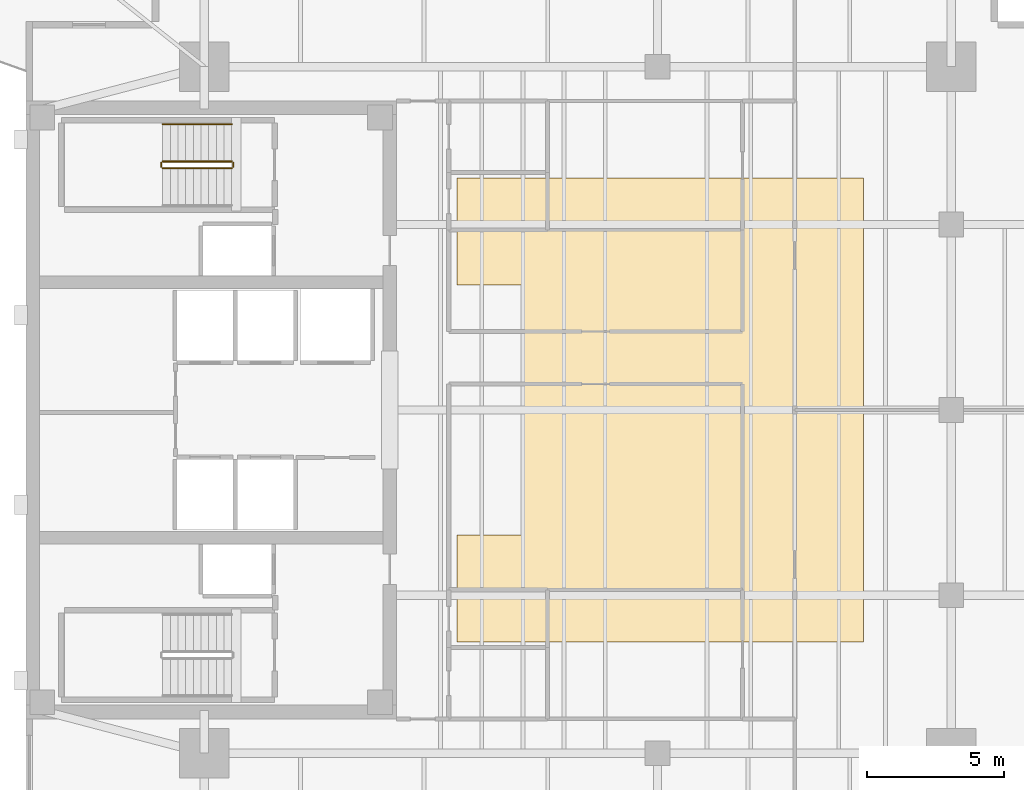
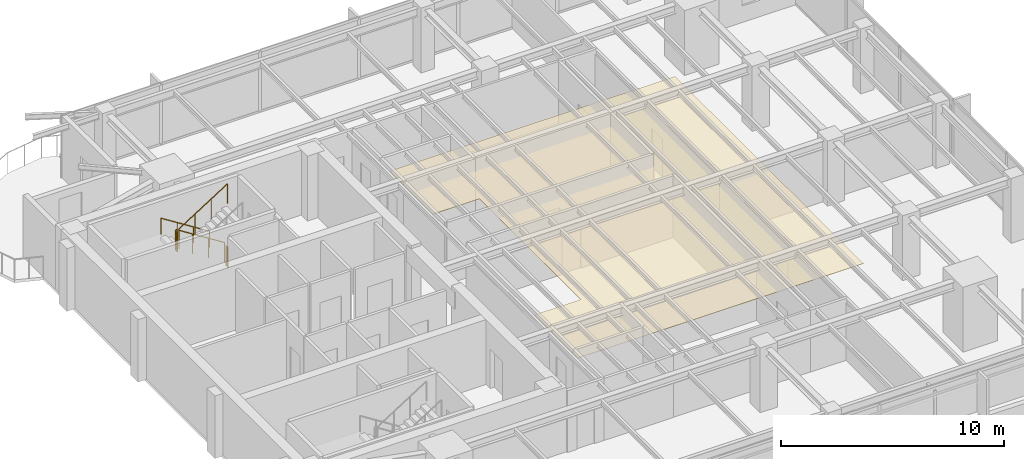
# One storey, part 13 of 14: 5 railings, 1 covering.
"""IFC4 building model written with IfcOpenShell, lengths in metres."""

from ifc_helpers import new_model, si_unit, direction, frame, origin, origin_2d, place, context, subcontext, project, spatial, polyline, circle, outline, extrude, material, layer, layer_set, type_object, element, save


model = new_model("IFC4")

# Units and contexts
model_context = context("Model", 3, precision=1e-05, world=origin(), true_north=direction((0.0, 1.0)))
body_context = subcontext(model_context, "Body", "Model", "MODEL_VIEW")
ifc_project = project(units=[si_unit("LENGTHUNIT", "METRE"), si_unit("AREAUNIT", "SQUARE_METRE"), si_unit("VOLUMEUNIT", "CUBIC_METRE"), si_unit("PLANEANGLEUNIT", "RADIAN"), si_unit("MASSUNIT", "GRAM", prefix="KILO")], contexts=[model_context])

# Site, building, storey
site_placement = place(None, origin())
site = spatial("IfcSite", under=ifc_project, at=site_placement, CompositionType="ELEMENT")
building_placement = place(site_placement, origin())
building = spatial("IfcBuilding", under=site, at=building_placement, Name="Kinhvarn Gate Tower", CompositionType="ELEMENT")
storey_placement = place(building_placement, frame((0.0, 0.0, 259.89990234375)))
storey = spatial("IfcBuildingStorey", under=building, at=storey_placement, Name="L69", CompositionType="ELEMENT", Elevation=259.89990234375)

# Covering
ifc_material_1 = material(Name="Mineral-fibre acoustic ceiling tile")
ifc_layer = layer(ifc_material_1, 0.02001953125)
ifc_layer_set = layer_set([ifc_layer], Name="Mineral-fibre acoustic ceiling tile")
covering_type = type_object("IfcCoveringType", Name="COV-CEIL-20", PredefinedType="CEILING", material=ifc_layer_set)
covering_placement = place(storey_placement, frame((0.0, 0.0, 2.650146484375)))
element("IfcCovering", 1, at=covering_placement, inside=storey, type_object=covering_type, Name="Suspended Acoustic Ceiling Tile (L69-1)", PredefinedType="CEILING", context=body_context, shape_type="SweptSolid", body=[
    extrude(outline(polyline([(35.0, 33.699951171875), (35.0, 16.800048828125), (20.199951171875, 16.800048828125), (20.199951171875, 20.699951171875), (22.60009765625, 20.699951171875), (22.60009765625, 29.800048828125), (20.199951171875, 29.800048828125), (20.199951171875, 33.699951171875), (35.0, 33.699951171875)])), origin(), (0.0, 0.0, 1.0), 0.02001953125),
])

# Railings
ifc_material_2 = material(Name="Steel S355", Category="steel")
railing_type_1 = type_object("IfcRailingType", Name="RL-ST-GRD", PredefinedType="BALUSTRADE", material=ifc_material_2)
railing_1_placement = place(storey_placement, frame((12.0, 34.300048828125, 0.177490234375)))
element("IfcRailing", 2, at=railing_1_placement, inside=storey, type_object=railing_type_1, Name="L69 ST2 stair guard 1", PredefinedType="BALUSTRADE", context=body_context, shape_type="SweptSolid", body=[
    extrude(circle(Radius=0.02392578125, at=origin_2d()), frame((0.0, 0.0, 1.076171875), z_axis=(-0.84456994832, 0.0, 0.535445237532), x_axis=(0.0, -1.0, 0.0)), (0.0, 0.0, 1.0), 2.98388671875),
    extrude(circle(Radius=0.02099609375, at=origin_2d()), origin(), (0.0, 0.0, 1.0), 1.052001953125),
    extrude(circle(Radius=0.02099609375, at=origin_2d()), frame((-0.840087890625, 0.0, 0.532470703125)), (0.0, 0.0, 1.0), 1.052001953125),
    extrude(circle(Radius=0.02099609375, at=origin_2d()), frame((-1.679931640625, 0.0, 1.065185546875)), (0.0, 0.0, 1.0), 1.052001953125),
    extrude(circle(Radius=0.02099609375, at=origin_2d()), frame((-2.52001953125, 0.0, 1.59765625)), (0.0, 0.0, 1.0), 1.052001953125),
])
railing_2_placement = place(storey_placement, frame((9.429931640625, 34.25, 1.775146484375)))
element("IfcRailing", 3, at=railing_2_placement, inside=storey, type_object=railing_type_1, Name="L69 ST2 stair guard 2", PredefinedType="BALUSTRADE", context=body_context, shape_type="SweptSolid", body=[
    extrude(circle(Radius=0.02392578125, at=origin_2d()), frame((0.0, 0.0, 1.076171875), z_axis=(0.0, -1.0, 0.0), x_axis=(1.0, 0.0, 0.0)), (0.0, 0.0, 1.0), 0.14990234375),
    extrude(circle(Radius=0.02099609375, at=origin_2d()), origin(), (0.0, 0.0, 1.0), 1.052001953125),
    extrude(circle(Radius=0.02099609375, at=origin_2d()), frame((0.0, -0.14990234375, 0.0)), (0.0, 0.0, 1.0), 1.052001953125),
])
railing_3_placement = place(storey_placement, frame((9.47998046875, 34.050048828125, 1.95263671875)))
element("IfcRailing", 4, at=railing_3_placement, inside=storey, type_object=railing_type_1, Name="L69 ST2 stair guard 3", PredefinedType="BALUSTRADE", context=body_context, shape_type="SweptSolid", body=[
    extrude(circle(Radius=0.02392578125, at=origin_2d()), frame((0.0, 0.0, 1.076171875), z_axis=(0.84460694969, 0.0, 0.535386869969), x_axis=(0.0, 1.0, 0.0)), (0.0, 0.0, 1.0), 2.983642578125),
    extrude(circle(Radius=0.02099609375, at=origin_2d()), origin(), (0.0, 0.0, 1.0), 1.052001953125),
    extrude(circle(Radius=0.02099609375, at=origin_2d()), frame((0.840087890625, 0.0, 0.532470703125)), (0.0, 0.0, 1.0), 1.052001953125),
    extrude(circle(Radius=0.02099609375, at=origin_2d()), frame((1.679931640625, 0.0, 1.06494140625)), (0.0, 0.0, 1.0), 1.052001953125),
    extrude(circle(Radius=0.02099609375, at=origin_2d()), frame((2.52001953125, 0.0, 1.597412109375)), (0.0, 0.0, 1.0), 1.052001953125),
])
railing_4_placement = place(storey_placement, frame((12.050048828125, 34.25, 0.0)))
element("IfcRailing", 5, at=railing_4_placement, inside=storey, type_object=railing_type_1, Name="L69 ST2 stair guard 4", PredefinedType="BALUSTRADE", context=body_context, shape_type="SweptSolid", body=[
    extrude(circle(Radius=0.02392578125, at=origin_2d()), frame((0.0, 0.0, 1.076171875), z_axis=(0.0, -1.0, 0.0), x_axis=(1.0, 0.0, 0.0)), (0.0, 0.0, 1.0), 0.14990234375),
    extrude(circle(Radius=0.02099609375, at=origin_2d()), origin(), (0.0, 0.0, 1.0), 1.052001953125),
    extrude(circle(Radius=0.02099609375, at=origin_2d()), frame((0.0, -0.14990234375, 0.0)), (0.0, 0.0, 1.0), 1.052001953125),
])
railing_type_2 = type_object("IfcRailingType", Name="RL-ST-HND", PredefinedType="HANDRAIL", material=ifc_material_2)
railing_5_placement = place(storey_placement, frame((12.0, 35.64990234375, 0.177490234375)))
element("IfcRailing", 6, at=railing_5_placement, inside=storey, type_object=railing_type_2, Name="L69 ST2 stair handrail 1", PredefinedType="HANDRAIL", context=body_context, shape_type="SweptSolid", body=[
    extrude(circle(Radius=0.02392578125, at=origin_2d()), frame((0.0, 0.0, 0.8759765625), z_axis=(-0.84456994832, 0.0, 0.535445237532), x_axis=(0.0, -1.0, 0.0)), (0.0, 0.0, 1.0), 2.98388671875),
    extrude(circle(Radius=0.02099609375, at=origin_2d()), origin(), (0.0, 0.0, 1.0), 0.851806640625),
    extrude(circle(Radius=0.02099609375, at=origin_2d()), frame((-0.840087890625, 0.0, 0.532470703125)), (0.0, 0.0, 1.0), 0.851806640625),
    extrude(circle(Radius=0.02099609375, at=origin_2d()), frame((-1.679931640625, 0.0, 1.065185546875)), (0.0, 0.0, 1.0), 0.851806640625),
    extrude(circle(Radius=0.02099609375, at=origin_2d()), frame((-2.52001953125, 0.0, 1.59765625)), (0.0, 0.0, 1.0), 0.851806640625),
])

save(model, "model.ifc")
